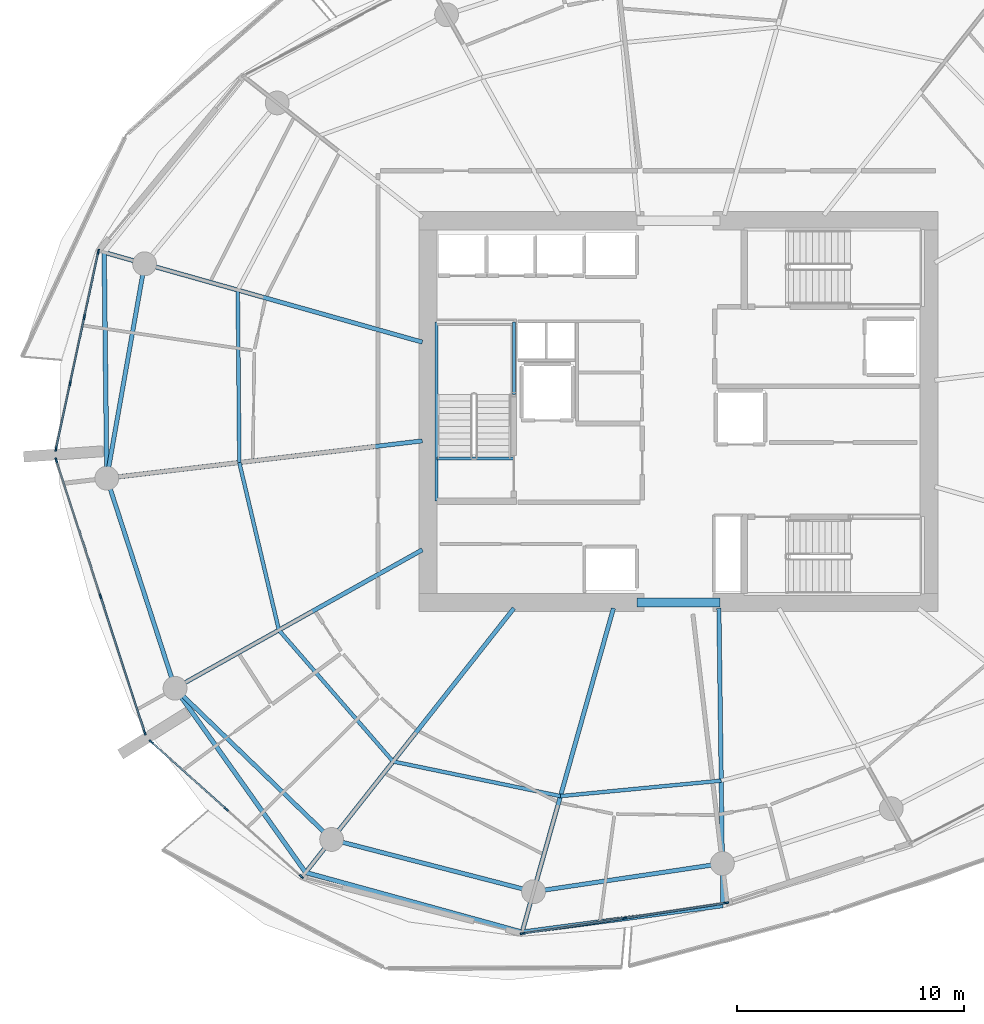
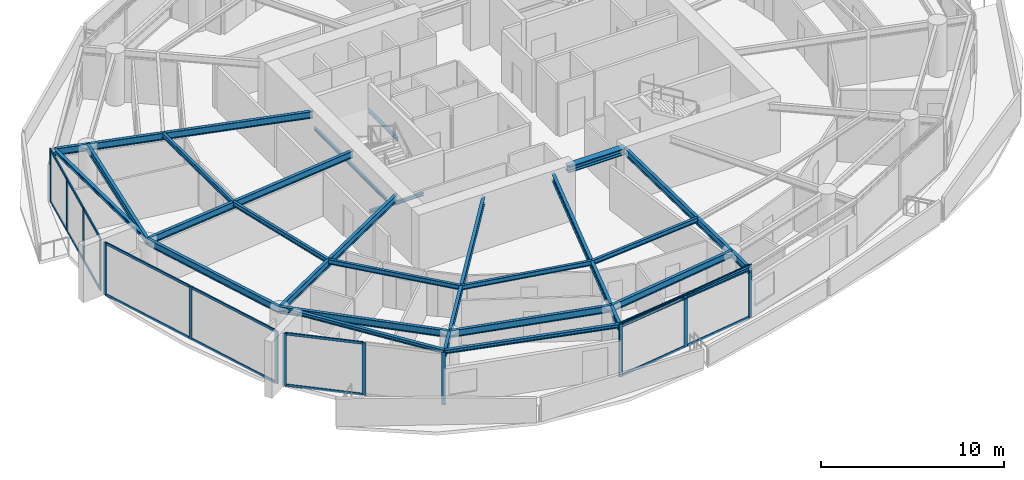
# One storey, part 5 of 20: 29 members, 24 beams, 4 elements without a shape of their own.
"""IFC4 building model written with IfcOpenShell, lengths in metres."""

from ifc_helpers import new_model, si_unit, direction, frame, origin, origin_2d, place, context, subcontext, project, spatial, rectangle, i_section, extrude, material, layer, layer_set, material_profile, profile_set, type_object, element, aggregate, save


model = new_model("IFC4")

# Units and contexts
model_context = context("Model", 3, precision=1e-05, world=origin(), true_north=direction((0.0, 1.0)))
body_context = subcontext(model_context, "Body", "Model", "MODEL_VIEW")
ifc_project = project(units=[si_unit("LENGTHUNIT", "METRE"), si_unit("AREAUNIT", "SQUARE_METRE"), si_unit("VOLUMEUNIT", "CUBIC_METRE"), si_unit("PLANEANGLEUNIT", "RADIAN"), si_unit("MASSUNIT", "GRAM", prefix="KILO")], contexts=[model_context])

# Site, building, storey
site_placement = place(None, origin())
site = spatial("IfcSite", under=ifc_project, at=site_placement, CompositionType="ELEMENT")
building_placement = place(site_placement, origin())
building = spatial("IfcBuilding", under=site, at=building_placement, Name="Kazma Halo Residences", CompositionType="ELEMENT")
storey_placement = place(building_placement, frame((0.0, 0.0, 154.050048828125)))
storey = spatial("IfcBuildingStorey", under=building, at=storey_placement, Name="L38", CompositionType="ELEMENT", Elevation=154.050048828125)

# Beams
ifc_material_1 = material(Name="Steel S355", Category="steel")
ifc_material_profile_1 = material_profile(ifc_material_1, i_section(OverallWidth=0.201904296875, OverallDepth=0.2470703125, WebThickness=0.00732421875, FlangeThickness=0.010986328125, FilletRadius=0.011962890625, at=origin_2d()), Name="W250x49.1")
ifc_profile_set_1 = profile_set([ifc_material_profile_1], Name="Steel S355")
beam_type_1 = type_object("IfcBeamType", Name="BM-BAL-CANT", PredefinedType="BEAM", material=ifc_profile_set_1)
beam_1_placement = place(storey_placement, frame((23.149658203125, 49.008544921875, 3.37646484375), z_axis=(0.011793371143, -0.99993045578, 0.0), x_axis=(0.99993045578, 0.011793371143, 0.0)))
element("IfcBeam", 1, at=beam_1_placement, inside=storey, type_object=beam_type_1, Name="L38 wave-balcony tie beam 07", PredefinedType="BEAM", context=body_context, shape_type="SweptSolid", body=[
    extrude(i_section(OverallWidth=0.201904296875, OverallDepth=0.2470703125, WebThickness=0.00732421875, FlangeThickness=0.010986328125, FilletRadius=0.011962890625, at=origin_2d()), origin(), (0.0, 0.0, 1.0), 9.936767578125),
])
beam_2_placement = place(storey_placement, frame((26.269775390625, 29.83056640625, 3.37646484375), z_axis=(0.578203432081, -0.81589263456, 0.0), x_axis=(0.81589263456, 0.578203432081, 0.0)))
element("IfcBeam", 2, at=beam_2_placement, inside=storey, type_object=beam_type_1, Name="L38 wave-balcony lead tie beam 09", PredefinedType="BEAM", context=body_context, shape_type="SweptSolid", body=[
    extrude(i_section(OverallWidth=0.201904296875, OverallDepth=0.2470703125, WebThickness=0.00732421875, FlangeThickness=0.010986328125, FilletRadius=0.011962890625, at=origin_2d()), origin(), (0.0, 0.0, 1.0), 9.9365234375),
])
beam_3_placement = place(storey_placement, frame((32.01513671875, 21.723388671875, 3.37646484375), z_axis=(0.964045237638, -0.265738179019, 0.0), x_axis=(0.265738179019, 0.964045237638, 0.0)))
element("IfcBeam", 3, at=beam_3_placement, inside=storey, type_object=beam_type_1, Name="L38 wave-balcony tie beam 10", PredefinedType="BEAM", context=body_context, shape_type="SweptSolid", body=[
    extrude(i_section(OverallWidth=0.201904296875, OverallDepth=0.2470703125, WebThickness=0.00732421875, FlangeThickness=0.010986328125, FilletRadius=0.011962890625, at=origin_2d()), origin(), (0.0, 0.0, 1.0), 9.880859375),
])
beam_4_placement = place(storey_placement, frame((41.540771484375, 19.09765625, 3.37646484375), z_axis=(0.991326402839, 0.13142284061, 0.0), x_axis=(-0.13142284061, 0.991326402839, 0.0)))
element("IfcBeam", 4, at=beam_4_placement, inside=storey, type_object=beam_type_1, Name="L38 wave-balcony tie beam 11", PredefinedType="BEAM", context=body_context, shape_type="SweptSolid", body=[
    extrude(i_section(OverallWidth=0.201904296875, OverallDepth=0.2470703125, WebThickness=0.00732421875, FlangeThickness=0.010986328125, FilletRadius=0.011962890625, at=origin_2d()), origin(), (0.0, 0.0, 1.0), 8.9150390625),
])
ifc_material_profile_2 = material_profile(ifc_material_1, i_section(OverallWidth=0.408935546875, OverallDepth=0.425048828125, WebThickness=0.03271484375, FlangeThickness=0.052490234375, FilletRadius=0.02001953125, at=origin_2d()), Name="W360x421")
ifc_profile_set_2 = profile_set([ifc_material_profile_2], Name="Steel S355")
beam_type_2 = type_object("IfcBeamType", Name="BM-CORE-W360H", PredefinedType="BEAM", material=ifc_profile_set_2)
beam_5_placement = place(storey_placement, frame((46.60009765625, 33.60009765625, 3.287353515625), z_axis=(1.0, 0.0, 0.0), x_axis=(0.0, 1.0, 0.0)))
element("IfcBeam", 5, at=beam_5_placement, inside=storey, type_object=beam_type_2, Name="L38 core coupling beam S", PredefinedType="BEAM", context=body_context, shape_type="SweptSolid", body=[
    extrude(i_section(OverallWidth=0.408935546875, OverallDepth=0.425048828125, WebThickness=0.03271484375, FlangeThickness=0.052490234375, FilletRadius=0.02001953125, at=origin_2d()), origin(), (0.0, 0.0, 1.0), 3.64990234375),
])
ifc_material_profile_3 = material_profile(ifc_material_1, i_section(OverallWidth=0.18994140625, OverallDepth=0.45703125, WebThickness=0.009033203125, FlangeThickness=0.014404296875, FilletRadius=0.01611328125, at=origin_2d()), Name="W460x74")
ifc_profile_set_3 = profile_set([ifc_material_profile_3], Name="Steel S355")
beam_type_3 = type_object("IfcBeamType", Name="BM-RAD-W460", PredefinedType="BEAM", material=ifc_profile_set_3)
beam_6_placement = place(storey_placement, frame((37.14990234375, 45.06005859375, 3.271484375), z_axis=(-0.962455072712, 0.271441030447, 0.0), x_axis=(-0.271441030447, -0.962455072712, 0.0)))
element("IfcBeam", 6, at=beam_6_placement, inside=storey, type_object=beam_type_3, Name="L38 radial floor beam 07", PredefinedType="BEAM", context=body_context, shape_type="SweptSolid", body=[
    extrude(i_section(OverallWidth=0.18994140625, OverallDepth=0.45703125, WebThickness=0.009033203125, FlangeThickness=0.014404296875, FilletRadius=0.01611328125, at=origin_2d()), origin(), (0.0, 0.0, 1.0), 14.54638671875),
])
beam_7_placement = place(storey_placement, frame((37.14990234375, 40.7158203125, 3.271484375), z_axis=(-0.993067267044, -0.117547450531, 0.0), x_axis=(0.117547450531, -0.993067267044, 0.0)))
element("IfcBeam", 7, at=beam_7_placement, inside=storey, type_object=beam_type_3, Name="L38 radial floor beam 08", PredefinedType="BEAM", context=body_context, shape_type="SweptSolid", body=[
    extrude(i_section(OverallWidth=0.18994140625, OverallDepth=0.45703125, WebThickness=0.009033203125, FlangeThickness=0.014404296875, FilletRadius=0.01611328125, at=origin_2d()), origin(), (0.0, 0.0, 1.0), 13.97998046875),
])
beam_8_placement = place(storey_placement, frame((37.14990234375, 35.923583984375, 3.271484375), z_axis=(-0.87250100809, -0.488612311431, 0.0), x_axis=(0.488612311431, -0.87250100809, 0.0)))
element("IfcBeam", 8, at=beam_8_placement, inside=storey, type_object=beam_type_3, Name="L38 radial floor beam 09", PredefinedType="BEAM", context=body_context, shape_type="SweptSolid", body=[
    extrude(i_section(OverallWidth=0.18994140625, OverallDepth=0.45703125, WebThickness=0.009033203125, FlangeThickness=0.014404296875, FilletRadius=0.01611328125, at=origin_2d()), origin(), (0.0, 0.0, 1.0), 12.469970703125),
])
beam_9_placement = place(storey_placement, frame((41.180908203125, 33.35009765625, 3.271484375), z_axis=(-0.619094498239, -0.785316498139, 0.0), x_axis=(0.785316498139, -0.619094498239, 0.0)))
element("IfcBeam", 9, at=beam_9_placement, inside=storey, type_object=beam_type_3, Name="L38 radial floor beam 10", PredefinedType="BEAM", context=body_context, shape_type="SweptSolid", body=[
    extrude(i_section(OverallWidth=0.18994140625, OverallDepth=0.45703125, WebThickness=0.009033203125, FlangeThickness=0.014404296875, FilletRadius=0.01611328125, at=origin_2d()), origin(), (0.0, 0.0, 1.0), 14.80517578125),
])
beam_10_placement = place(storey_placement, frame((45.560302734375, 33.35009765625, 3.271484375), z_axis=(-0.271435886816, -0.962456523355, 0.0), x_axis=(0.962456523355, -0.271435886816, 0.0)))
element("IfcBeam", 10, at=beam_10_placement, inside=storey, type_object=beam_type_3, Name="L38 radial floor beam 11", PredefinedType="BEAM", context=body_context, shape_type="SweptSolid", body=[
    extrude(i_section(OverallWidth=0.18994140625, OverallDepth=0.45703125, WebThickness=0.009033203125, FlangeThickness=0.014404296875, FilletRadius=0.01611328125, at=origin_2d()), origin(), (0.0, 0.0, 1.0), 14.808349609375),
])
beam_11_placement = place(storey_placement, frame((50.199951171875, 33.35009765625, 3.271484375), z_axis=(0.013642135434, -0.99990694174, 0.0), x_axis=(0.99990694174, 0.013642135434, 0.0)))
element("IfcBeam", 11, at=beam_11_placement, inside=storey, type_object=beam_type_3, Name="L38 radial floor beam 12", PredefinedType="BEAM", context=body_context, shape_type="SweptSolid", body=[
    extrude(i_section(OverallWidth=0.18994140625, OverallDepth=0.45703125, WebThickness=0.009033203125, FlangeThickness=0.014404296875, FilletRadius=0.01611328125, at=origin_2d()), origin(), (0.0, 0.0, 1.0), 13.08203125),
])
ifc_material_profile_4 = material_profile(ifc_material_1, i_section(OverallWidth=0.1650390625, OverallDepth=0.31005859375, WebThickness=0.005859375, FlangeThickness=0.009765625, FilletRadius=0.011962890625, at=origin_2d()), Name="W310x38.7")
ifc_profile_set_4 = profile_set([ifc_material_profile_4], Name="Steel S355")
beam_type_4 = type_object("IfcBeamType", Name="BM-SEC-W310B", PredefinedType="JOIST", material=ifc_profile_set_4)
beam_12_placement = place(storey_placement, frame((29.02978515625, 47.35009765625, 3.344970703125), z_axis=(0.008944876706, -0.99995999379, 0.0), x_axis=(0.99995999379, 0.008944876706, 0.0)))
element("IfcBeam", 12, at=beam_12_placement, inside=storey, type_object=beam_type_4, Name="L38 circumferential floor joist 07", PredefinedType="JOIST", context=body_context, shape_type="SweptSolid", body=[
    extrude(i_section(OverallWidth=0.1650390625, OverallDepth=0.31005859375, WebThickness=0.005859375, FlangeThickness=0.009765625, FilletRadius=0.011962890625, at=origin_2d()), origin(), (0.0, 0.0, 1.0), 7.587646484375),
])
beam_13_placement = place(storey_placement, frame((29.09765625, 39.7626953125, 3.344970703125), z_axis=(0.229897820601, -0.973214771817, 0.0), x_axis=(0.973214771817, 0.229897820601, 0.0)))
element("IfcBeam", 13, at=beam_13_placement, inside=storey, type_object=beam_type_4, Name="L38 circumferential floor joist 08", PredefinedType="JOIST", context=body_context, shape_type="SweptSolid", body=[
    extrude(i_section(OverallWidth=0.1650390625, OverallDepth=0.31005859375, WebThickness=0.005859375, FlangeThickness=0.009765625, FilletRadius=0.011962890625, at=origin_2d()), origin(), (0.0, 0.0, 1.0), 7.575927734375),
])
beam_14_placement = place(storey_placement, frame((30.83935546875, 32.3896484375, 3.344970703125), z_axis=(0.655935687589, -0.754816781575, 0.0), x_axis=(0.754816781575, 0.655935687589, 0.0)))
element("IfcBeam", 14, at=beam_14_placement, inside=storey, type_object=beam_type_4, Name="L38 circumferential floor joist 09", PredefinedType="JOIST", context=body_context, shape_type="SweptSolid", body=[
    extrude(i_section(OverallWidth=0.1650390625, OverallDepth=0.31005859375, WebThickness=0.005859375, FlangeThickness=0.009765625, FilletRadius=0.011962890625, at=origin_2d()), origin(), (0.0, 0.0, 1.0), 7.661376953125),
])
beam_15_placement = place(storey_placement, frame((35.86474609375, 26.606689453125, 3.344970703125), z_axis=(0.979272189631, -0.202548706773, 0.0), x_axis=(0.202548706773, 0.979272189631, 0.0)))
element("IfcBeam", 15, at=beam_15_placement, inside=storey, type_object=beam_type_4, Name="L38 circumferential floor joist 10", PredefinedType="JOIST", context=body_context, shape_type="SweptSolid", body=[
    extrude(i_section(OverallWidth=0.1650390625, OverallDepth=0.31005859375, WebThickness=0.005859375, FlangeThickness=0.009765625, FilletRadius=0.011962890625, at=origin_2d()), origin(), (0.0, 0.0, 1.0), 7.52001953125),
])
beam_16_placement = place(storey_placement, frame((43.22900390625, 25.08349609375, 3.344970703125), z_axis=(0.995416389983, 0.095635822539, 0.0), x_axis=(-0.095635822539, 0.995416389983, 0.0)))
element("IfcBeam", 16, at=beam_16_placement, inside=storey, type_object=beam_type_4, Name="L38 circumferential floor joist 11", PredefinedType="JOIST", context=body_context, shape_type="SweptSolid", body=[
    extrude(i_section(OverallWidth=0.1650390625, OverallDepth=0.31005859375, WebThickness=0.005859375, FlangeThickness=0.009765625, FilletRadius=0.011962890625, at=origin_2d()), origin(), (0.0, 0.0, 1.0), 7.10693359375),
])
ifc_material_profile_5 = material_profile(ifc_material_1, i_section(OverallWidth=0.18994140625, OverallDepth=0.45703125, WebThickness=0.009033203125, FlangeThickness=0.014404296875, FilletRadius=0.01611328125, at=origin_2d()), Name="W460x74")
ifc_profile_set_5 = profile_set([ifc_material_profile_5], Name="Steel S355")
beam_type_5 = type_object("IfcBeamType", Name="BM-SPN-W460", PredefinedType="BEAM", material=ifc_profile_set_5)
beam_17_placement = place(storey_placement, frame((24.93017578125, 48.50634765625, 3.271484375), z_axis=(-0.173637033425, -0.984809717978, 0.0), x_axis=(0.984809717978, -0.173637033425, 0.0)))
element("IfcBeam", 17, at=beam_17_placement, inside=storey, type_object=beam_type_5, Name="L38 perimeter ring beam 07", PredefinedType="BEAM", context=body_context, shape_type="SweptSolid", body=[
    extrude(i_section(OverallWidth=0.18994140625, OverallDepth=0.45703125, WebThickness=0.009033203125, FlangeThickness=0.014404296875, FilletRadius=0.01611328125, at=origin_2d()), origin(), (0.0, 0.0, 1.0), 9.579345703125),
])
beam_18_placement = place(storey_placement, frame((23.266845703125, 39.072509765625, 3.271484375), z_axis=(0.309020741629, -0.95105529873, 0.0), x_axis=(0.95105529873, 0.309020741629, 0.0)))
element("IfcBeam", 18, at=beam_18_placement, inside=storey, type_object=beam_type_5, Name="L38 perimeter ring beam 08", PredefinedType="BEAM", context=body_context, shape_type="SweptSolid", body=[
    extrude(i_section(OverallWidth=0.18994140625, OverallDepth=0.45703125, WebThickness=0.009033203125, FlangeThickness=0.014404296875, FilletRadius=0.01611328125, at=origin_2d()), origin(), (0.0, 0.0, 1.0), 9.717529296875),
])
beam_19_placement = place(storey_placement, frame((26.269775390625, 29.83056640625, 3.271484375), z_axis=(0.719334705845, -0.694663645923, 0.0), x_axis=(0.694663645923, 0.719334705845, 0.0)))
element("IfcBeam", 19, at=beam_19_placement, inside=storey, type_object=beam_type_5, Name="L38 perimeter ring beam 09", PredefinedType="BEAM", context=body_context, shape_type="SweptSolid", body=[
    extrude(i_section(OverallWidth=0.18994140625, OverallDepth=0.45703125, WebThickness=0.009033203125, FlangeThickness=0.014404296875, FilletRadius=0.01611328125, at=origin_2d()), origin(), (0.0, 0.0, 1.0), 9.5791015625),
])
beam_20_placement = place(storey_placement, frame((33.160400390625, 23.17626953125, 3.271484375), z_axis=(0.968123664213, -0.250472694699, 0.0), x_axis=(0.250472694699, 0.968123664213, 0.0)))
element("IfcBeam", 20, at=beam_20_placement, inside=storey, type_object=beam_type_5, Name="L38 perimeter ring beam 10", PredefinedType="BEAM", context=body_context, shape_type="SweptSolid", body=[
    extrude(i_section(OverallWidth=0.18994140625, OverallDepth=0.45703125, WebThickness=0.009033203125, FlangeThickness=0.014404296875, FilletRadius=0.01611328125, at=origin_2d()), origin(), (0.0, 0.0, 1.0), 9.175048828125),
])
beam_21_placement = place(storey_placement, frame((42.04296875, 20.878173828125, 3.271484375), z_axis=(0.989037147603, 0.147666924735, 0.0), x_axis=(-0.147666924735, 0.989037147603, 0.0)))
element("IfcBeam", 21, at=beam_21_placement, inside=storey, type_object=beam_type_5, Name="L38 perimeter ring beam 11", PredefinedType="BEAM", context=body_context, shape_type="SweptSolid", body=[
    extrude(i_section(OverallWidth=0.18994140625, OverallDepth=0.45703125, WebThickness=0.009033203125, FlangeThickness=0.014404296875, FilletRadius=0.01611328125, at=origin_2d()), origin(), (0.0, 0.0, 1.0), 8.402099609375),
])
ifc_material_profile_6 = material_profile(ifc_material_1, i_section(OverallWidth=0.133056640625, OverallDepth=0.20703125, WebThickness=0.005859375, FlangeThickness=0.00830078125, FilletRadius=0.010009765625, at=origin_2d()), Name="W200x26.6")
ifc_profile_set_6 = profile_set([ifc_material_profile_6], Name="Steel S355")
beam_type_6 = type_object("IfcBeamType", Name="BM-TRIM-W200", PredefinedType="BEAM", material=ifc_profile_set_6)
beam_22_placement = place(storey_placement, frame((37.800048828125, 39.949951171875, -0.360107421875), z_axis=(1.0, 0.0, 0.0), x_axis=(0.0, 1.0, 0.0)))
element("IfcBeam", 22, at=beam_22_placement, inside=storey, type_object=beam_type_6, Name="L38 ST-01 floor landing support beam", PredefinedType="BEAM", context=body_context, shape_type="SweptSolid", body=[
    extrude(i_section(OverallWidth=0.133056640625, OverallDepth=0.20703125, WebThickness=0.005859375, FlangeThickness=0.00830078125, FilletRadius=0.010009765625, at=origin_2d()), origin(), (0.0, 0.0, 1.0), 3.3798828125),
])
beam_23_placement = place(storey_placement, frame((37.780029296875, 38.06005859375, 1.570068359375), z_axis=(0.0, 1.0, 0.0), x_axis=(-1.0, 0.0, 0.0)))
element("IfcBeam", 23, at=beam_23_placement, inside=storey, type_object=beam_type_6, Name="L38 ST-01 landing west wall ledger", PredefinedType="BEAM", context=body_context, shape_type="SweptSolid", body=[
    extrude(i_section(OverallWidth=0.133056640625, OverallDepth=0.20703125, WebThickness=0.005859375, FlangeThickness=0.00830078125, FilletRadius=0.010009765625, at=origin_2d()), origin(), (0.0, 0.0, 1.0), 7.8798828125),
])
beam_24_placement = place(storey_placement, frame((41.179931640625, 42.75, 1.570068359375), z_axis=(0.0, 1.0, 0.0), x_axis=(-1.0, 0.0, 0.0)))
element("IfcBeam", 24, at=beam_24_placement, inside=storey, type_object=beam_type_6, Name="L38 ST-01 landing east wall ledger", PredefinedType="BEAM", context=body_context, shape_type="SweptSolid", body=[
    extrude(i_section(OverallWidth=0.133056640625, OverallDepth=0.20703125, WebThickness=0.005859375, FlangeThickness=0.00830078125, FilletRadius=0.010009765625, at=origin_2d()), origin(), (0.0, 0.0, 1.0), 3.18994140625),
])

# Curtain wall, members
ifc_material_2 = material(Name="Aluminium AW-6063 T6 and Triple-Silver Low-E Glass", Category="aluminium")
ifc_layer = layer(ifc_material_2, 0.219970703125)
ifc_layer_set = layer_set([ifc_layer], Name="Aluminium AW-6063 T6 and Triple-Silver Low-E Glass")
curtain_wall_type = type_object("IfcCurtainWallType", Name="CW-SYS-4", PredefinedType="NOTDEFINED", material=ifc_layer_set)
curtain_wall_1_placement = place(storey_placement, origin())
curtain_wall_1 = element("IfcCurtainWall", 25, at=curtain_wall_1_placement, inside=storey, type_object=curtain_wall_type, Name="L38 unitised curtain wall B07", PredefinedType="NOTDEFINED")
ifc_material_3 = material(Name="Aluminium AW-6063 T6", Category="aluminium")
ifc_material_profile_7 = material_profile(ifc_material_3, rectangle(XDim=0.074951171875, YDim=0.219970703125, at=origin_2d()), Name="CWM-75x220")
ifc_profile_set_7 = profile_set([ifc_material_profile_7], Name="Aluminium AW-6063 T6")
member_type_1 = type_object("IfcMemberType", Name="CW-SYS-4-MUL", PredefinedType="MULLION", material=ifc_profile_set_7)
member_1_placement = place(storey_placement, frame((22.894775390625, 49.04150390625, 0.0), z_axis=(0.0, 0.0, 1.0), x_axis=(0.977764957684, -0.209703809037, 0.0)))
member_1 = element("IfcMember", 26, at=member_1_placement, type_object=member_type_1, Name="CWS-4 mullion 1", PredefinedType="MULLION", context=body_context, shape_type="SweptSolid", body=[
    extrude(rectangle(XDim=0.074951171875, YDim=0.219970703125, at=origin_2d()), origin(), (0.0, 0.0, 1.0), 3.5),
])
member_2_placement = place(storey_placement, frame((22.27685546875, 46.160888671875, 0.0), z_axis=(0.0, 0.0, 1.0), x_axis=(0.977764957684, -0.209703809037, 0.0)))
member_2 = element("IfcMember", 27, at=member_2_placement, type_object=member_type_1, Name="CWS-4 mullion 2", PredefinedType="MULLION", context=body_context, shape_type="SweptSolid", body=[
    extrude(rectangle(XDim=0.074951171875, YDim=0.219970703125, at=origin_2d()), origin(), (0.0, 0.0, 1.0), 3.5),
])
member_3_placement = place(storey_placement, frame((21.6513671875, 43.24365234375, 0.0), z_axis=(0.0, 0.0, 1.0), x_axis=(0.977764957684, -0.209703809037, 0.0)))
member_3 = element("IfcMember", 28, at=member_3_placement, type_object=member_type_1, Name="CWS-4 mullion 3", PredefinedType="MULLION", context=body_context, shape_type="SweptSolid", body=[
    extrude(rectangle(XDim=0.074951171875, YDim=0.219970703125, at=origin_2d()), origin(), (0.0, 0.0, 1.0), 3.5),
])
member_4_placement = place(storey_placement, frame((21.033447265625, 40.36328125, 0.0), z_axis=(0.0, 0.0, 1.0), x_axis=(0.977764957684, -0.209703809037, 0.0)))
member_4 = element("IfcMember", 29, at=member_4_placement, type_object=member_type_1, Name="CWS-4 mullion 4", PredefinedType="MULLION", context=body_context, shape_type="SweptSolid", body=[
    extrude(rectangle(XDim=0.074951171875, YDim=0.219970703125, at=origin_2d()), origin(), (0.0, 0.0, 1.0), 3.5),
])

curtain_wall_2_placement = place(storey_placement, origin())
curtain_wall_2 = element("IfcCurtainWall", 30, at=curtain_wall_2_placement, inside=storey, type_object=curtain_wall_type, Name="L38 unitised curtain wall B08", PredefinedType="NOTDEFINED")
member_5_placement = place(storey_placement, frame((21.044189453125, 39.86572265625, 0.0), z_axis=(0.0, 0.0, 1.0), x_axis=(0.951057547609, 0.3090138203, 0.0)))
member_5 = element("IfcMember", 31, at=member_5_placement, type_object=member_type_1, Name="CWS-4 mullion 1", PredefinedType="MULLION", context=body_context, shape_type="SweptSolid", body=[
    extrude(rectangle(XDim=0.074951171875, YDim=0.219970703125, at=origin_2d()), origin(), (0.0, 0.0, 1.0), 3.5),
])
member_6_placement = place(storey_placement, frame((22.990966796875, 33.8740234375, 0.0), z_axis=(0.0, 0.0, 1.0), x_axis=(0.951057547609, 0.3090138203, 0.0)))
member_6 = element("IfcMember", 32, at=member_6_placement, type_object=member_type_1, Name="CWS-4 mullion 2", PredefinedType="MULLION", context=body_context, shape_type="SweptSolid", body=[
    extrude(rectangle(XDim=0.074951171875, YDim=0.219970703125, at=origin_2d()), origin(), (0.0, 0.0, 1.0), 3.5),
])
member_7_placement = place(storey_placement, frame((24.937744140625, 27.882568359375, 0.0), z_axis=(0.0, 0.0, 1.0), x_axis=(0.951057547609, 0.3090138203, 0.0)))
member_7 = element("IfcMember", 33, at=member_7_placement, type_object=member_type_1, Name="CWS-4 mullion 3", PredefinedType="MULLION", context=body_context, shape_type="SweptSolid", body=[
    extrude(rectangle(XDim=0.074951171875, YDim=0.219970703125, at=origin_2d()), origin(), (0.0, 0.0, 1.0), 3.5),
])

curtain_wall_3_placement = place(storey_placement, origin())
curtain_wall_3 = element("IfcCurtainWall", 34, at=curtain_wall_3_placement, inside=storey, type_object=curtain_wall_type, Name="L38 unitised curtain wall B09", PredefinedType="NOTDEFINED")
member_8_placement = place(storey_placement, frame((25.221435546875, 27.4736328125, 0.0), z_axis=(0.0, 0.0, 1.0), x_axis=(0.667770096247, 0.744367582957, 0.0)))
member_8 = element("IfcMember", 35, at=member_8_placement, type_object=member_type_1, Name="CWS-4 mullion 1", PredefinedType="MULLION", context=body_context, shape_type="SweptSolid", body=[
    extrude(rectangle(XDim=0.074951171875, YDim=0.219970703125, at=origin_2d()), origin(), (0.0, 0.0, 1.0), 3.5),
])
member_9_placement = place(storey_placement, frame((28.52490234375, 24.51025390625, 0.0), z_axis=(0.0, 0.0, 1.0), x_axis=(0.667770096247, 0.744367582957, 0.0)))
member_9 = element("IfcMember", 36, at=member_9_placement, type_object=member_type_1, Name="CWS-4 mullion 2", PredefinedType="MULLION", context=body_context, shape_type="SweptSolid", body=[
    extrude(rectangle(XDim=0.074951171875, YDim=0.219970703125, at=origin_2d()), origin(), (0.0, 0.0, 1.0), 3.5),
])
member_10_placement = place(storey_placement, frame((31.828369140625, 21.546630859375, 0.0), z_axis=(0.0, 0.0, 1.0), x_axis=(0.667770096247, 0.744367582957, 0.0)))
member_10 = element("IfcMember", 37, at=member_10_placement, type_object=member_type_1, Name="CWS-4 mullion 3", PredefinedType="MULLION", context=body_context, shape_type="SweptSolid", body=[
    extrude(rectangle(XDim=0.074951171875, YDim=0.219970703125, at=origin_2d()), origin(), (0.0, 0.0, 1.0), 3.5),
])

curtain_wall_4_placement = place(storey_placement, origin())
curtain_wall_4 = element("IfcCurtainWall", 38, at=curtain_wall_4_placement, inside=storey, type_object=curtain_wall_type, Name="L38 unitised curtain wall B11", PredefinedType="NOTDEFINED")
member_11_placement = place(storey_placement, frame((41.559326171875, 19.037109375, 0.0), z_axis=(0.0, 0.0, 1.0), x_axis=(-0.148821022686, 0.988864148004, 0.0)))
member_11 = element("IfcMember", 39, at=member_11_placement, type_object=member_type_1, Name="CWS-4 mullion 1", PredefinedType="MULLION", context=body_context, shape_type="SweptSolid", body=[
    extrude(rectangle(XDim=0.074951171875, YDim=0.219970703125, at=origin_2d()), origin(), (0.0, 0.0, 1.0), 3.5),
])
member_12_placement = place(storey_placement, frame((46.039794921875, 19.71142578125, 0.0), z_axis=(0.0, 0.0, 1.0), x_axis=(-0.148821022686, 0.988864148004, 0.0)))
member_12 = element("IfcMember", 40, at=member_12_placement, type_object=member_type_1, Name="CWS-4 mullion 2", PredefinedType="MULLION", context=body_context, shape_type="SweptSolid", body=[
    extrude(rectangle(XDim=0.074951171875, YDim=0.219970703125, at=origin_2d()), origin(), (0.0, 0.0, 1.0), 3.5),
])
member_13_placement = place(storey_placement, frame((50.5205078125, 20.3857421875, 0.0), z_axis=(0.0, 0.0, 1.0), x_axis=(-0.148821022686, 0.988864148004, 0.0)))
member_13 = element("IfcMember", 41, at=member_13_placement, type_object=member_type_1, Name="CWS-4 mullion 3", PredefinedType="MULLION", context=body_context, shape_type="SweptSolid", body=[
    extrude(rectangle(XDim=0.074951171875, YDim=0.219970703125, at=origin_2d()), origin(), (0.0, 0.0, 1.0), 3.5),
])

# Member
ifc_material_profile_8 = material_profile(ifc_material_3, rectangle(XDim=0.074951171875, YDim=0.1650390625, at=origin_2d()), Name="CWT-75x165")
ifc_profile_set_8 = profile_set([ifc_material_profile_8], Name="Aluminium AW-6063 T6")
member_type_2 = type_object("IfcMemberType", Name="CW-SYS-4-TRN", PredefinedType="USERDEFINED", material=ifc_profile_set_8)
member_14_placement = place(storey_placement, frame((22.886962890625, 49.0048828125, 0.037353515625), z_axis=(-0.209703309269, -0.977765064871, 0.0), x_axis=(0.977765064871, -0.209703309269, 0.0)))
member_14 = element("IfcMember", 42, at=member_14_placement, type_object=member_type_2, Name="CWS-4 transom 1.1", ObjectType="TRANSOM", PredefinedType="USERDEFINED", context=body_context, shape_type="SweptSolid", body=[
    extrude(rectangle(XDim=0.074951171875, YDim=0.1650390625, at=origin_2d()), origin(), (0.0, 0.0, 1.0), 2.870849609375),
])

member_15_placement = place(storey_placement, frame((22.886962890625, 49.0048828125, 3.46240234375), z_axis=(-0.209703309269, -0.977765064871, 0.0), x_axis=(0.977765064871, -0.209703309269, 0.0)))
member_15 = element("IfcMember", 43, at=member_15_placement, type_object=member_type_2, Name="CWS-4 transom 1.2", ObjectType="TRANSOM", PredefinedType="USERDEFINED", context=body_context, shape_type="SweptSolid", body=[
    extrude(rectangle(XDim=0.074951171875, YDim=0.1650390625, at=origin_2d()), origin(), (0.0, 0.0, 1.0), 2.870849609375),
])

member_16_placement = place(storey_placement, frame((22.26904296875, 46.124267578125, 0.037353515625), z_axis=(-0.209689601293, -0.977768004748, 0.0), x_axis=(0.977768004748, -0.209689601293, 0.0)))
member_16 = element("IfcMember", 44, at=member_16_placement, type_object=member_type_2, Name="CWS-4 transom 2.1", ObjectType="TRANSOM", PredefinedType="USERDEFINED", context=body_context, shape_type="SweptSolid", body=[
    extrude(rectangle(XDim=0.074951171875, YDim=0.1650390625, at=origin_2d()), origin(), (0.0, 0.0, 1.0), 2.908447265625),
])

member_17_placement = place(storey_placement, frame((22.26904296875, 46.124267578125, 3.46240234375), z_axis=(-0.209689601293, -0.977768004748, 0.0), x_axis=(0.977768004748, -0.209689601293, 0.0)))
member_17 = element("IfcMember", 45, at=member_17_placement, type_object=member_type_2, Name="CWS-4 transom 2.2", ObjectType="TRANSOM", PredefinedType="USERDEFINED", context=body_context, shape_type="SweptSolid", body=[
    extrude(rectangle(XDim=0.074951171875, YDim=0.1650390625, at=origin_2d()), origin(), (0.0, 0.0, 1.0), 2.908447265625),
])

member_18_placement = place(storey_placement, frame((21.643310546875, 43.20703125, 0.037353515625), z_axis=(-0.209703309269, -0.977765064871, 0.0), x_axis=(0.977765064871, -0.209703309269, 0.0)))
member_18 = element("IfcMember", 46, at=member_18_placement, type_object=member_type_2, Name="CWS-4 transom 3.1", ObjectType="TRANSOM", PredefinedType="USERDEFINED", context=body_context, shape_type="SweptSolid", body=[
    extrude(rectangle(XDim=0.074951171875, YDim=0.1650390625, at=origin_2d()), origin(), (0.0, 0.0, 1.0), 2.870849609375),
])

member_19_placement = place(storey_placement, frame((21.643310546875, 43.20703125, 3.46240234375), z_axis=(-0.209703309269, -0.977765064871, 0.0), x_axis=(0.977765064871, -0.209703309269, 0.0)))
member_19 = element("IfcMember", 47, at=member_19_placement, type_object=member_type_2, Name="CWS-4 transom 3.2", ObjectType="TRANSOM", PredefinedType="USERDEFINED", context=body_context, shape_type="SweptSolid", body=[
    extrude(rectangle(XDim=0.074951171875, YDim=0.1650390625, at=origin_2d()), origin(), (0.0, 0.0, 1.0), 2.870849609375),
])

aggregate(curtain_wall_1, [member_1, member_2, member_3, member_4, member_14, member_15, member_16, member_17, member_18, member_19])

member_20_placement = place(storey_placement, frame((21.0556640625, 39.830078125, 0.037353515625), z_axis=(0.309006258762, -0.95106000444, 0.0), x_axis=(0.95106000444, 0.309006258762, 0.0)))
member_20 = element("IfcMember", 48, at=member_20_placement, type_object=member_type_2, Name="CWS-4 transom 1.1", ObjectType="TRANSOM", PredefinedType="USERDEFINED", context=body_context, shape_type="SweptSolid", body=[
    extrude(rectangle(XDim=0.074951171875, YDim=0.1650390625, at=origin_2d()), origin(), (0.0, 0.0, 1.0), 6.22509765625),
])

member_21_placement = place(storey_placement, frame((21.0556640625, 39.830078125, 3.46240234375), z_axis=(0.309006258762, -0.95106000444, 0.0), x_axis=(0.95106000444, 0.309006258762, 0.0)))
member_21 = element("IfcMember", 49, at=member_21_placement, type_object=member_type_2, Name="CWS-4 transom 1.2", ObjectType="TRANSOM", PredefinedType="USERDEFINED", context=body_context, shape_type="SweptSolid", body=[
    extrude(rectangle(XDim=0.074951171875, YDim=0.1650390625, at=origin_2d()), origin(), (0.0, 0.0, 1.0), 6.22509765625),
])

member_22_placement = place(storey_placement, frame((23.00244140625, 33.83837890625, 0.037353515625), z_axis=(0.309017784977, -0.951056259413, 0.0), x_axis=(0.951056259413, 0.309017784977, 0.0)))
member_22 = element("IfcMember", 50, at=member_22_placement, type_object=member_type_2, Name="CWS-4 transom 2.1", ObjectType="TRANSOM", PredefinedType="USERDEFINED", context=body_context, shape_type="SweptSolid", body=[
    extrude(rectangle(XDim=0.074951171875, YDim=0.1650390625, at=origin_2d()), origin(), (0.0, 0.0, 1.0), 6.224853515625),
])

member_23_placement = place(storey_placement, frame((23.00244140625, 33.83837890625, 3.46240234375), z_axis=(0.309017784977, -0.951056259413, 0.0), x_axis=(0.951056259413, 0.309017784977, 0.0)))
member_23 = element("IfcMember", 51, at=member_23_placement, type_object=member_type_2, Name="CWS-4 transom 2.2", ObjectType="TRANSOM", PredefinedType="USERDEFINED", context=body_context, shape_type="SweptSolid", body=[
    extrude(rectangle(XDim=0.074951171875, YDim=0.1650390625, at=origin_2d()), origin(), (0.0, 0.0, 1.0), 6.224853515625),
])

aggregate(curtain_wall_2, [member_5, member_6, member_7, member_20, member_21, member_22, member_23])

member_24_placement = place(storey_placement, frame((25.24951171875, 27.44873046875, 0.037353515625), z_axis=(0.744344978888, -0.66779529229, 0.0), x_axis=(0.66779529229, 0.744344978888, 0.0)))
member_24 = element("IfcMember", 52, at=member_24_placement, type_object=member_type_2, Name="CWS-4 transom 1.1", ObjectType="TRANSOM", PredefinedType="USERDEFINED", context=body_context, shape_type="SweptSolid", body=[
    extrude(rectangle(XDim=0.074951171875, YDim=0.1650390625, at=origin_2d()), origin(), (0.0, 0.0, 1.0), 4.363037109375),
])

member_25_placement = place(storey_placement, frame((25.24951171875, 27.44873046875, 3.46240234375), z_axis=(0.744344978888, -0.66779529229, 0.0), x_axis=(0.66779529229, 0.744344978888, 0.0)))
member_25 = element("IfcMember", 53, at=member_25_placement, type_object=member_type_2, Name="CWS-4 transom 1.2", ObjectType="TRANSOM", PredefinedType="USERDEFINED", context=body_context, shape_type="SweptSolid", body=[
    extrude(rectangle(XDim=0.074951171875, YDim=0.1650390625, at=origin_2d()), origin(), (0.0, 0.0, 1.0), 4.363037109375),
])

aggregate(curtain_wall_3, [member_8, member_9, member_10, member_24, member_25])

member_26_placement = place(storey_placement, frame((41.596435546875, 19.042724609375, 0.037353515625), z_axis=(0.988866721231, 0.148803923478, 0.0), x_axis=(-0.148803923478, 0.988866721231, 0.0)))
member_26 = element("IfcMember", 54, at=member_26_placement, type_object=member_type_2, Name="CWS-4 transom 1.1", ObjectType="TRANSOM", PredefinedType="USERDEFINED", context=body_context, shape_type="SweptSolid", body=[
    extrude(rectangle(XDim=0.074951171875, YDim=0.1650390625, at=origin_2d()), origin(), (0.0, 0.0, 1.0), 4.4560546875),
])

member_27_placement = place(storey_placement, frame((41.596435546875, 19.042724609375, 3.46240234375), z_axis=(0.988866721231, 0.148803923478, 0.0), x_axis=(-0.148803923478, 0.988866721231, 0.0)))
member_27 = element("IfcMember", 55, at=member_27_placement, type_object=member_type_2, Name="CWS-4 transom 1.2", ObjectType="TRANSOM", PredefinedType="USERDEFINED", context=body_context, shape_type="SweptSolid", body=[
    extrude(rectangle(XDim=0.074951171875, YDim=0.1650390625, at=origin_2d()), origin(), (0.0, 0.0, 1.0), 4.4560546875),
])

member_28_placement = place(storey_placement, frame((46.076904296875, 19.717041015625, 0.037353515625), z_axis=(0.988866721231, 0.148803923478, 0.0), x_axis=(-0.148803923478, 0.988866721231, 0.0)))
member_28 = element("IfcMember", 56, at=member_28_placement, type_object=member_type_2, Name="CWS-4 transom 2.1", ObjectType="TRANSOM", PredefinedType="USERDEFINED", context=body_context, shape_type="SweptSolid", body=[
    extrude(rectangle(XDim=0.074951171875, YDim=0.1650390625, at=origin_2d()), origin(), (0.0, 0.0, 1.0), 4.4560546875),
])

member_29_placement = place(storey_placement, frame((46.076904296875, 19.717041015625, 3.46240234375), z_axis=(0.988866721231, 0.148803923478, 0.0), x_axis=(-0.148803923478, 0.988866721231, 0.0)))
member_29 = element("IfcMember", 57, at=member_29_placement, type_object=member_type_2, Name="CWS-4 transom 2.2", ObjectType="TRANSOM", PredefinedType="USERDEFINED", context=body_context, shape_type="SweptSolid", body=[
    extrude(rectangle(XDim=0.074951171875, YDim=0.1650390625, at=origin_2d()), origin(), (0.0, 0.0, 1.0), 4.4560546875),
])

aggregate(curtain_wall_4, [member_11, member_12, member_13, member_26, member_27, member_28, member_29])

save(model, "model.ifc")
